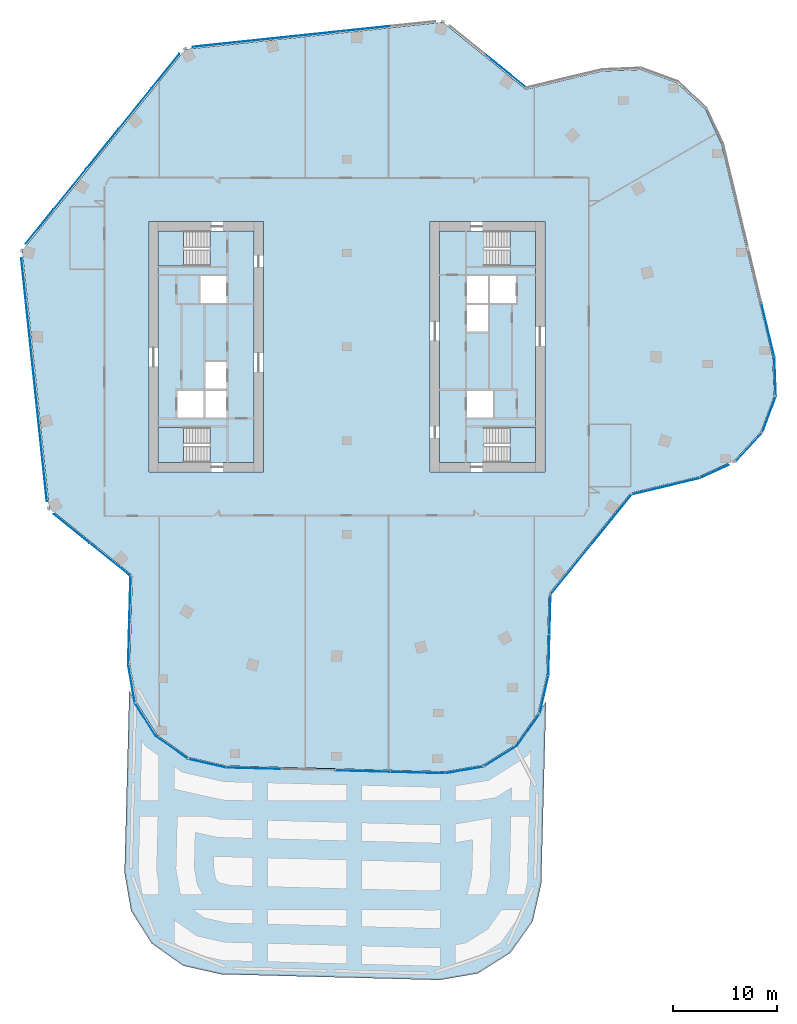
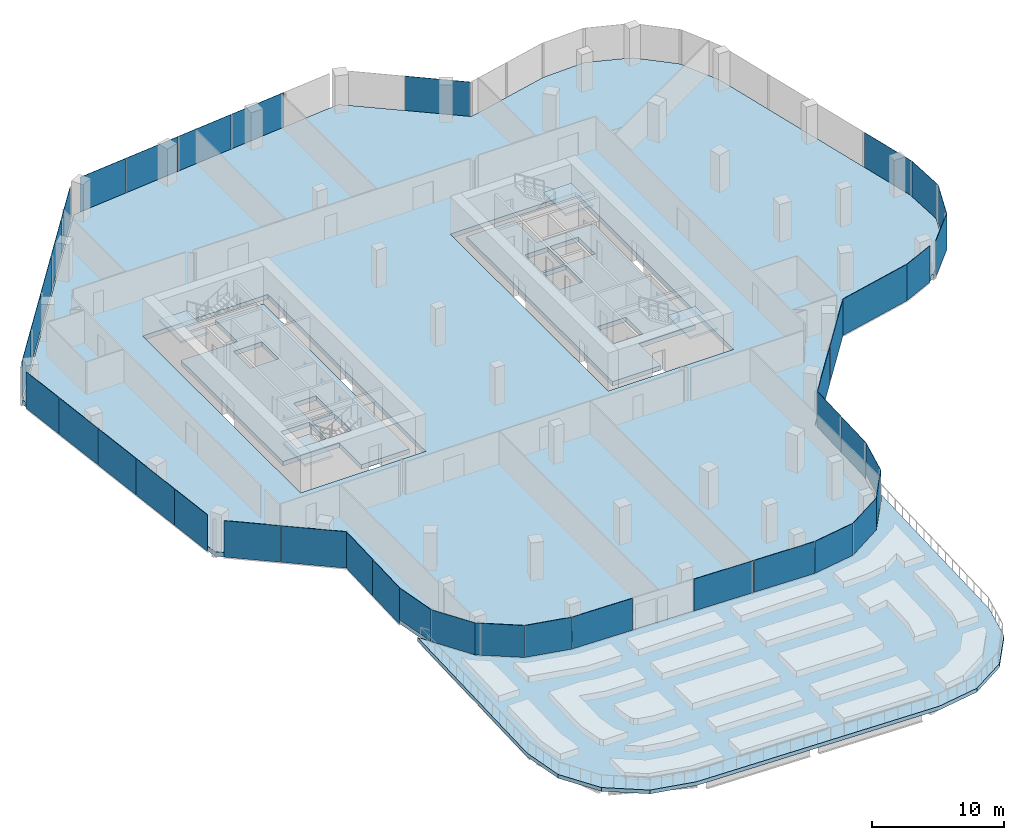
# One storey, part 16 of 25: 40 plates, 8 slabs, 27 elements without a shape of their own.
"""IFC4 building model written with IfcOpenShell, lengths in metres."""

from ifc_helpers import new_model, si_unit, direction, frame, origin, origin_2d, place, context, subcontext, project, spatial, polyline, rectangle, outline, extrude, material, layer, layer_set, type_object, element, aggregate, save


model = new_model("IFC4")

# Units and contexts
model_context = context("Model", 3, precision=1e-05, world=origin(), true_north=direction((0.0, 1.0)))
body_context = subcontext(model_context, "Body", "Model", "MODEL_VIEW")
ifc_project = project(units=[si_unit("LENGTHUNIT", "METRE"), si_unit("AREAUNIT", "SQUARE_METRE"), si_unit("VOLUMEUNIT", "CUBIC_METRE"), si_unit("PLANEANGLEUNIT", "RADIAN"), si_unit("MASSUNIT", "GRAM", prefix="KILO")], contexts=[model_context])

# Site, building, storey
site_placement = place(None, origin())
site = spatial("IfcSite", under=ifc_project, at=site_placement, CompositionType="ELEMENT")
building_placement = place(site_placement, origin())
building = spatial("IfcBuilding", under=site, at=building_placement, Name="Orlundy Tower", CompositionType="ELEMENT")
storey_placement = place(building_placement, frame((0.0, 0.0, 217.5)))
storey = spatial("IfcBuildingStorey", under=building, at=storey_placement, Name="L57", CompositionType="ELEMENT", Elevation=217.5)

# Curtain wall, plates
ifc_material_1 = material(Name="Aluminium bronze anodised", Category="aluminium")
curtain_wall_type = type_object("IfcCurtainWallType", Name="CW1 wall", PredefinedType="NOTDEFINED", material=ifc_material_1)
curtain_wall_1_placement = place(storey_placement, origin())
curtain_wall_1 = element("IfcCurtainWall", 1, at=curtain_wall_1_placement, inside=storey, type_object=curtain_wall_type, Name="CW1 run 00", PredefinedType="NOTDEFINED")
ifc_material_2 = material(Name="Tinted glass", Category="glass")
ifc_layer_1 = layer(ifc_material_2, 0.031982421875)
ifc_layer_set_1 = layer_set([ifc_layer_1], Name="CW1 glass panel 32")
plate_type = type_object("IfcPlateType", Name="CW1 glass panel 32", PredefinedType="CURTAIN_PANEL", material=ifc_layer_set_1)
plate_1_placement = place(storey_placement, frame((-20.9130859375, -28.337158203125, -0.300048828125), z_axis=(0.0, 0.0, 1.0), x_axis=(0.026251208042, 0.999655377656, 0.0)))
plate_1 = element("IfcPlate", 2, at=plate_1_placement, type_object=plate_type, Name="CW1 panel", PredefinedType="CURTAIN_PANEL", context=body_context, shape_type="SweptSolid", body=[
    extrude(rectangle(XDim=4.232421875, YDim=0.031982421875, at=origin_2d()), origin(), (0.0, 0.0, 1.0), 3.3798828125),
])
plate_2_placement = place(storey_placement, frame((-20.8017578125, -24.092041015625, -0.300048828125), z_axis=(0.0, 0.0, 1.0), x_axis=(0.026251208042, 0.999655377656, 0.0)))
plate_2 = element("IfcPlate", 3, at=plate_2_placement, type_object=plate_type, Name="CW1 panel", PredefinedType="CURTAIN_PANEL", context=body_context, shape_type="SweptSolid", body=[
    extrude(rectangle(XDim=4.16064453125, YDim=0.031982421875, at=origin_2d()), origin(), (0.0, 0.0, 1.0), 3.3798828125),
])
aggregate(curtain_wall_1, [plate_1, plate_2])

curtain_wall_2_placement = place(storey_placement, origin())
curtain_wall_2 = element("IfcCurtainWall", 4, at=curtain_wall_2_placement, inside=storey, type_object=curtain_wall_type, Name="CW1 run 01", PredefinedType="NOTDEFINED")
plate_3_placement = place(storey_placement, frame((-22.69482421875, -20.435302734375, -0.300048828125), z_axis=(0.0, 0.0, 1.0), x_axis=(-0.77717662091, 0.629282527892, 0.0)))
plate_3 = element("IfcPlate", 5, at=plate_3_placement, type_object=plate_type, Name="CW1 panel", PredefinedType="CURTAIN_PANEL", context=body_context, shape_type="SweptSolid", body=[
    extrude(rectangle(XDim=5.0126953125, YDim=0.031982421875, at=origin_2d()), origin(), (0.0, 0.0, 1.0), 3.3798828125),
])
plate_4_placement = place(storey_placement, frame((-26.38232421875, -17.44970703125, -0.300048828125), z_axis=(0.0, 0.0, 1.0), x_axis=(-0.77717662091, 0.629282527892, 0.0)))
plate_4 = element("IfcPlate", 6, at=plate_4_placement, type_object=plate_type, Name="CW1 panel", PredefinedType="CURTAIN_PANEL", context=body_context, shape_type="SweptSolid", body=[
    extrude(rectangle(XDim=4.376708984375, YDim=0.031982421875, at=origin_2d()), origin(), (0.0, 0.0, 1.0), 3.3798828125),
])
aggregate(curtain_wall_2, [plate_3, plate_4])

curtain_wall_3_placement = place(storey_placement, origin())
curtain_wall_3 = element("IfcCurtainWall", 7, at=curtain_wall_3_placement, inside=storey, type_object=curtain_wall_type, Name="CW1 run 02", PredefinedType="NOTDEFINED")
plate_5_placement = place(storey_placement, frame((-28.99609375, -12.695556640625, -0.300048828125), z_axis=(0.0, 0.0, 1.0), x_axis=(-0.104538162943, 0.994520875843, 0.0)))
plate_5 = element("IfcPlate", 8, at=plate_5_placement, type_object=plate_type, Name="CW1 panel", PredefinedType="CURTAIN_PANEL", context=body_context, shape_type="SweptSolid", body=[
    extrude(rectangle(XDim=4.228759765625, YDim=0.031982421875, at=origin_2d()), origin(), (0.0, 0.0, 1.0), 3.3798828125),
])
plate_6_placement = place(storey_placement, frame((-29.4794921875, -8.096435546875, -0.300048828125), z_axis=(0.0, 0.0, 1.0), x_axis=(-0.104538162943, 0.994520875843, 0.0)))
plate_6 = element("IfcPlate", 9, at=plate_6_placement, type_object=plate_type, Name="CW1 panel", PredefinedType="CURTAIN_PANEL", context=body_context, shape_type="SweptSolid", body=[
    extrude(rectangle(XDim=4.92041015625, YDim=0.031982421875, at=origin_2d()), origin(), (0.0, 0.0, 1.0), 3.3798828125),
])
plate_7_placement = place(storey_placement, frame((-29.9990234375, -3.153076171875, -0.300048828125), z_axis=(0.0, 0.0, 1.0), x_axis=(-0.104538162943, 0.994520875843, 0.0)))
plate_7 = element("IfcPlate", 10, at=plate_7_placement, type_object=plate_type, Name="CW1 panel", PredefinedType="CURTAIN_PANEL", context=body_context, shape_type="SweptSolid", body=[
    extrude(rectangle(XDim=4.92041015625, YDim=0.031982421875, at=origin_2d()), origin(), (0.0, 0.0, 1.0), 3.3798828125),
])
plate_8_placement = place(storey_placement, frame((-30.518798828125, 1.7900390625, -0.300048828125), z_axis=(0.0, 0.0, 1.0), x_axis=(-0.104538162943, 0.994520875843, 0.0)))
plate_8 = element("IfcPlate", 11, at=plate_8_placement, type_object=plate_type, Name="CW1 panel", PredefinedType="CURTAIN_PANEL", context=body_context, shape_type="SweptSolid", body=[
    extrude(rectangle(XDim=4.92041015625, YDim=0.031982421875, at=origin_2d()), origin(), (0.0, 0.0, 1.0), 3.3798828125),
])
plate_9_placement = place(storey_placement, frame((-31.002197265625, 6.3896484375, -0.300048828125), z_axis=(0.0, 0.0, 1.0), x_axis=(-0.104538162943, 0.994520875843, 0.0)))
plate_9 = element("IfcPlate", 12, at=plate_9_placement, type_object=plate_type, Name="CW1 panel", PredefinedType="CURTAIN_PANEL", context=body_context, shape_type="SweptSolid", body=[
    extrude(rectangle(XDim=4.229248046875, YDim=0.031982421875, at=origin_2d()), origin(), (0.0, 0.0, 1.0), 3.3798828125),
])
aggregate(curtain_wall_3, [plate_5, plate_6, plate_7, plate_8, plate_9])

curtain_wall_4_placement = place(storey_placement, origin())
curtain_wall_4 = element("IfcCurtainWall", 13, at=curtain_wall_4_placement, inside=storey, type_object=curtain_wall_type, Name="CW1 run 03", PredefinedType="NOTDEFINED")
plate_10_placement = place(storey_placement, frame((-29.48046875, 11.525634765625, -0.300048828125), z_axis=(0.0, 0.0, 1.0), x_axis=(0.629320911043, 0.777145540374, 0.0)))
plate_10 = element("IfcPlate", 14, at=plate_10_placement, type_object=plate_type, Name="CW1 panel", PredefinedType="CURTAIN_PANEL", context=body_context, shape_type="SweptSolid", body=[
    extrude(rectangle(XDim=4.228271484375, YDim=0.031982421875, at=origin_2d()), origin(), (0.0, 0.0, 1.0), 3.3798828125),
])
plate_11_placement = place(storey_placement, frame((-26.570068359375, 15.11962890625, -0.300048828125), z_axis=(0.0, 0.0, 1.0), x_axis=(0.629320911043, 0.777145540374, 0.0)))
plate_11 = element("IfcPlate", 15, at=plate_11_placement, type_object=plate_type, Name="CW1 panel", PredefinedType="CURTAIN_PANEL", context=body_context, shape_type="SweptSolid", body=[
    extrude(rectangle(XDim=4.920654296875, YDim=0.031982421875, at=origin_2d()), origin(), (0.0, 0.0, 1.0), 3.3798828125),
])
plate_12_placement = place(storey_placement, frame((-23.44189453125, 18.982666015625, -0.300048828125), z_axis=(0.0, 0.0, 1.0), x_axis=(0.629320911043, 0.777145540374, 0.0)))
plate_12 = element("IfcPlate", 16, at=plate_12_placement, type_object=plate_type, Name="CW1 panel", PredefinedType="CURTAIN_PANEL", context=body_context, shape_type="SweptSolid", body=[
    extrude(rectangle(XDim=4.920654296875, YDim=0.031982421875, at=origin_2d()), origin(), (0.0, 0.0, 1.0), 3.3798828125),
])
plate_13_placement = place(storey_placement, frame((-20.313720703125, 22.845703125, -0.300048828125), z_axis=(0.0, 0.0, 1.0), x_axis=(0.629320911043, 0.777145540374, 0.0)))
plate_13 = element("IfcPlate", 17, at=plate_13_placement, type_object=plate_type, Name="CW1 panel", PredefinedType="CURTAIN_PANEL", context=body_context, shape_type="SweptSolid", body=[
    extrude(rectangle(XDim=4.920654296875, YDim=0.031982421875, at=origin_2d()), origin(), (0.0, 0.0, 1.0), 3.3798828125),
])
plate_14_placement = place(storey_placement, frame((-17.4033203125, 26.43994140625, -0.300048828125), z_axis=(0.0, 0.0, 1.0), x_axis=(0.629320911043, 0.777145540374, 0.0)))
plate_14 = element("IfcPlate", 18, at=plate_14_placement, type_object=plate_type, Name="CW1 panel", PredefinedType="CURTAIN_PANEL", context=body_context, shape_type="SweptSolid", body=[
    extrude(rectangle(XDim=4.22900390625, YDim=0.031982421875, at=origin_2d()), origin(), (0.0, 0.0, 1.0), 3.3798828125),
])
aggregate(curtain_wall_4, [plate_10, plate_11, plate_12, plate_13, plate_14])

curtain_wall_5_placement = place(storey_placement, origin())
curtain_wall_5 = element("IfcCurtainWall", 19, at=curtain_wall_5_placement, inside=storey, type_object=curtain_wall_type, Name="CW1 run 04", PredefinedType="NOTDEFINED")
plate_15_placement = place(storey_placement, frame((-12.695556640625, 28.99609375, -0.300048828125), z_axis=(0.0, 0.0, 1.0), x_axis=(0.994520875843, 0.104538162943, 0.0)))
plate_15 = element("IfcPlate", 20, at=plate_15_placement, type_object=plate_type, Name="CW1 panel", PredefinedType="CURTAIN_PANEL", context=body_context, shape_type="SweptSolid", body=[
    extrude(rectangle(XDim=4.228759765625, YDim=0.031982421875, at=origin_2d()), origin(), (0.0, 0.0, 1.0), 3.3798828125),
])
plate_16_placement = place(storey_placement, frame((-8.096435546875, 29.4794921875, -0.300048828125), z_axis=(0.0, 0.0, 1.0), x_axis=(0.994520875843, 0.104538162943, 0.0)))
plate_16 = element("IfcPlate", 21, at=plate_16_placement, type_object=plate_type, Name="CW1 panel", PredefinedType="CURTAIN_PANEL", context=body_context, shape_type="SweptSolid", body=[
    extrude(rectangle(XDim=4.92041015625, YDim=0.031982421875, at=origin_2d()), origin(), (0.0, 0.0, 1.0), 3.3798828125),
])
plate_17_placement = place(storey_placement, frame((-3.153076171875, 29.9990234375, -0.300048828125), z_axis=(0.0, 0.0, 1.0), x_axis=(0.994520875843, 0.104538162943, 0.0)))
plate_17 = element("IfcPlate", 22, at=plate_17_placement, type_object=plate_type, Name="CW1 panel", PredefinedType="CURTAIN_PANEL", context=body_context, shape_type="SweptSolid", body=[
    extrude(rectangle(XDim=4.92041015625, YDim=0.031982421875, at=origin_2d()), origin(), (0.0, 0.0, 1.0), 3.3798828125),
])
plate_18_placement = place(storey_placement, frame((1.7900390625, 30.518798828125, -0.300048828125), z_axis=(0.0, 0.0, 1.0), x_axis=(0.994520875843, 0.104538162943, 0.0)))
plate_18 = element("IfcPlate", 23, at=plate_18_placement, type_object=plate_type, Name="CW1 panel", PredefinedType="CURTAIN_PANEL", context=body_context, shape_type="SweptSolid", body=[
    extrude(rectangle(XDim=4.92041015625, YDim=0.031982421875, at=origin_2d()), origin(), (0.0, 0.0, 1.0), 3.3798828125),
])
aggregate(curtain_wall_5, [plate_15, plate_16, plate_17, plate_18])

# Curtain wall, plate
curtain_wall_6_placement = place(storey_placement, origin())
curtain_wall_6 = element("IfcCurtainWall", 24, at=curtain_wall_6_placement, inside=storey, type_object=curtain_wall_type, Name="CW1 run 05", PredefinedType="NOTDEFINED")
plate_19_placement = place(storey_placement, frame((15.2705078125, 26.44775390625, -0.300048828125), z_axis=(0.0, 0.0, 1.0), x_axis=(0.777128847743, -0.629341524139, 0.0)))
plate_19 = element("IfcPlate", 25, at=plate_19_placement, type_object=plate_type, Name="CW1 panel", PredefinedType="CURTAIN_PANEL", context=body_context, shape_type="SweptSolid", body=[
    extrude(rectangle(XDim=5.012939453125, YDim=0.031982421875, at=origin_2d()), origin(), (0.0, 0.0, 1.0), 3.3798828125),
])
aggregate(curtain_wall_6, [plate_19])

curtain_wall_7_placement = place(storey_placement, origin())
curtain_wall_7 = element("IfcCurtainWall", 26, at=curtain_wall_7_placement, inside=storey, type_object=curtain_wall_type, Name="CW1 run 011", PredefinedType="NOTDEFINED")
plate_20_placement = place(storey_placement, frame((40.408447265625, 1.593994140625, -0.300048828125), z_axis=(0.0, 0.0, 1.0), x_axis=(0.233472005748, -0.972363523859, 0.0)))
plate_20 = element("IfcPlate", 27, at=plate_20_placement, type_object=plate_type, Name="CW1 panel", PredefinedType="CURTAIN_PANEL", context=body_context, shape_type="SweptSolid", body=[
    extrude(rectangle(XDim=5.216064453125, YDim=0.031982421875, at=origin_2d()), origin(), (0.0, 0.0, 1.0), 3.3798828125),
])
aggregate(curtain_wall_7, [plate_20])

curtain_wall_8_placement = place(storey_placement, origin())
curtain_wall_8 = element("IfcCurtainWall", 28, at=curtain_wall_8_placement, inside=storey, type_object=curtain_wall_type, Name="CW1 run 012", PredefinedType="NOTDEFINED")
plate_21_placement = place(storey_placement, frame((41.09716796875, -2.85546875, -0.300048828125), z_axis=(0.0, 0.0, 1.0), x_axis=(0.039116906831, -0.999234640913, 0.0)))
plate_21 = element("IfcPlate", 29, at=plate_21_placement, type_object=plate_type, Name="CW1 panel", PredefinedType="CURTAIN_PANEL", context=body_context, shape_type="SweptSolid", body=[
    extrude(rectangle(XDim=3.73046875, YDim=0.031982421875, at=origin_2d()), origin(), (0.0, 0.0, 1.0), 3.3798828125),
])
aggregate(curtain_wall_8, [plate_21])

curtain_wall_9_placement = place(storey_placement, origin())
curtain_wall_9 = element("IfcCurtainWall", 30, at=curtain_wall_9_placement, inside=storey, type_object=curtain_wall_type, Name="CW1 run 013", PredefinedType="NOTDEFINED")
plate_22_placement = place(storey_placement, frame((40.517333984375, -6.48828125, -0.300048828125), z_axis=(0.0, 0.0, 1.0), x_axis=(-0.346180462863, -0.938167941859, 0.0)))
plate_22 = element("IfcPlate", 31, at=plate_22_placement, type_object=plate_type, Name="CW1 panel", PredefinedType="CURTAIN_PANEL", context=body_context, shape_type="SweptSolid", body=[
    extrude(rectangle(XDim=3.771484375, YDim=0.031982421875, at=origin_2d()), origin(), (0.0, 0.0, 1.0), 3.3798828125),
])
aggregate(curtain_wall_9, [plate_22])

curtain_wall_10_placement = place(storey_placement, origin())
curtain_wall_10 = element("IfcCurtainWall", 32, at=curtain_wall_10_placement, inside=storey, type_object=curtain_wall_type, Name="CW1 run 014", PredefinedType="NOTDEFINED")
plate_23_placement = place(storey_placement, frame((38.58447265625, -9.642333984375, -0.300048828125), z_axis=(0.0, 0.0, 1.0), x_axis=(-0.678772971258, -0.734348182738, 0.0)))
plate_23 = element("IfcPlate", 33, at=plate_23_placement, type_object=plate_type, Name="CW1 panel", PredefinedType="CURTAIN_PANEL", context=body_context, shape_type="SweptSolid", body=[
    extrude(rectangle(XDim=3.77197265625, YDim=0.031982421875, at=origin_2d()), origin(), (0.0, 0.0, 1.0), 3.3798828125),
])
aggregate(curtain_wall_10, [plate_23])

curtain_wall_11_placement = place(storey_placement, origin())
curtain_wall_11 = element("IfcCurtainWall", 34, at=curtain_wall_11_placement, inside=storey, type_object=curtain_wall_type, Name="CW1 run 015", PredefinedType="NOTDEFINED")
plate_24_placement = place(storey_placement, frame((35.26708984375, -11.966552734375, -0.300048828125), z_axis=(0.0, 0.0, 1.0), x_axis=(-0.908117246595, -0.418715973467, 0.0)))
plate_24 = element("IfcPlate", 35, at=plate_24_placement, type_object=plate_type, Name="CW1 panel", PredefinedType="CURTAIN_PANEL", context=body_context, shape_type="SweptSolid", body=[
    extrude(rectangle(XDim=2.973876953125, YDim=0.031982421875, at=origin_2d()), origin(), (0.0, 0.0, 1.0), 3.3798828125),
])
aggregate(curtain_wall_11, [plate_24])

curtain_wall_12_placement = place(storey_placement, origin())
curtain_wall_12 = element("IfcCurtainWall", 36, at=curtain_wall_12_placement, inside=storey, type_object=curtain_wall_type, Name="CW1 run 016", PredefinedType="NOTDEFINED")
plate_25_placement = place(storey_placement, frame((30.6025390625, -13.39013671875, -0.300048828125), z_axis=(0.0, 0.0, 1.0), x_axis=(-0.972363214149, -0.233473295624, 0.0)))
plate_25 = element("IfcPlate", 37, at=plate_25_placement, type_object=plate_type, Name="CW1 panel", PredefinedType="CURTAIN_PANEL", context=body_context, shape_type="SweptSolid", body=[
    extrude(rectangle(XDim=6.719970703125, YDim=0.031982421875, at=origin_2d()), origin(), (0.0, 0.0, 1.0), 3.3798828125),
])
aggregate(curtain_wall_12, [plate_25])

# Curtain wall, plates
curtain_wall_13_placement = place(storey_placement, origin())
curtain_wall_13 = element("IfcCurtainWall", 38, at=curtain_wall_13_placement, inside=storey, type_object=curtain_wall_type, Name="CW1 run 017", PredefinedType="NOTDEFINED")
plate_26_placement = place(storey_placement, frame((25.396240234375, -16.56884765625, -0.300048828125), z_axis=(0.0, 0.0, 1.0), x_axis=(-0.629352582823, -0.777119891969, 0.0)))
plate_26 = element("IfcPlate", 39, at=plate_26_placement, type_object=plate_type, Name="CW1 panel", PredefinedType="CURTAIN_PANEL", context=body_context, shape_type="SweptSolid", body=[
    extrude(rectangle(XDim=6.162353515625, YDim=0.031982421875, at=origin_2d()), origin(), (0.0, 0.0, 1.0), 3.3798828125),
])
plate_27_placement = place(storey_placement, frame((21.486572265625, -21.396484375, -0.300048828125), z_axis=(0.0, 0.0, 1.0), x_axis=(-0.629352582823, -0.777119891969, 0.0)))
plate_27 = element("IfcPlate", 40, at=plate_27_placement, type_object=plate_type, Name="CW1 panel", PredefinedType="CURTAIN_PANEL", context=body_context, shape_type="SweptSolid", body=[
    extrude(rectangle(XDim=6.162353515625, YDim=0.031982421875, at=origin_2d()), origin(), (0.0, 0.0, 1.0), 3.3798828125),
])
aggregate(curtain_wall_13, [plate_26, plate_27])

curtain_wall_14_placement = place(storey_placement, origin())
curtain_wall_14 = element("IfcCurtainWall", 41, at=curtain_wall_14_placement, inside=storey, type_object=curtain_wall_type, Name="CW1 run 018", PredefinedType="NOTDEFINED")
plate_28_placement = place(storey_placement, frame((19.497802734375, -25.696044921875, -0.300048828125), z_axis=(0.0, 0.0, 1.0), x_axis=(-0.026076968311, -0.999659938041, 0.0)))
plate_28 = element("IfcPlate", 42, at=plate_28_placement, type_object=plate_type, Name="CW1 panel", PredefinedType="CURTAIN_PANEL", context=body_context, shape_type="SweptSolid", body=[
    extrude(rectangle(XDim=3.8115234375, YDim=0.031982421875, at=origin_2d()), origin(), (0.0, 0.0, 1.0), 3.3798828125),
])
plate_29_placement = place(storey_placement, frame((19.396484375, -29.579833984375, -0.300048828125), z_axis=(0.0, 0.0, 1.0), x_axis=(-0.026076968311, -0.999659938041, 0.0)))
plate_29 = element("IfcPlate", 43, at=plate_29_placement, type_object=plate_type, Name="CW1 panel", PredefinedType="CURTAIN_PANEL", context=body_context, shape_type="SweptSolid", body=[
    extrude(rectangle(XDim=3.8583984375, YDim=0.031982421875, at=origin_2d()), origin(), (0.0, 0.0, 1.0), 3.3798828125),
])
aggregate(curtain_wall_14, [plate_28, plate_29])

# Curtain wall, plate
curtain_wall_15_placement = place(storey_placement, origin())
curtain_wall_15 = element("IfcCurtainWall", 44, at=curtain_wall_15_placement, inside=storey, type_object=curtain_wall_type, Name="CW1 run 019", PredefinedType="NOTDEFINED")
plate_30_placement = place(storey_placement, frame((18.928466796875, -33.376953125, 0.1201171875), z_axis=(0.0, 0.0, 1.0), x_axis=(-0.220699748267, -0.975341797072, 0.0)))
plate_30 = element("IfcPlate", 45, at=plate_30_placement, type_object=plate_type, Name="CW1 panel", PredefinedType="CURTAIN_PANEL", context=body_context, shape_type="SweptSolid", body=[
    extrude(rectangle(XDim=3.72998046875, YDim=0.031982421875, at=origin_2d()), origin(), (0.0, 0.0, 1.0), 2.9599609375),
])
aggregate(curtain_wall_15, [plate_30])

curtain_wall_16_placement = place(storey_placement, origin())
curtain_wall_16 = element("IfcCurtainWall", 46, at=curtain_wall_16_placement, inside=storey, type_object=curtain_wall_type, Name="CW1 run 020", PredefinedType="NOTDEFINED")
plate_31_placement = place(storey_placement, frame((17.427978515625, -36.736083984375, 0.1201171875), z_axis=(0.0, 0.0, 1.0), x_axis=(-0.577276133281, -0.816548997883, 0.0)))
plate_31 = element("IfcPlate", 47, at=plate_31_placement, type_object=plate_type, Name="CW1 panel", PredefinedType="CURTAIN_PANEL", context=body_context, shape_type="SweptSolid", body=[
    extrude(rectangle(XDim=3.772216796875, YDim=0.031982421875, at=origin_2d()), origin(), (0.0, 0.0, 1.0), 2.9599609375),
])
aggregate(curtain_wall_16, [plate_31])

curtain_wall_17_placement = place(storey_placement, origin())
curtain_wall_17 = element("IfcCurtainWall", 48, at=curtain_wall_17_placement, inside=storey, type_object=curtain_wall_type, Name="CW1 run 021", PredefinedType="NOTDEFINED")
plate_32_placement = place(storey_placement, frame((14.743896484375, -39.28271484375, 0.1201171875), z_axis=(0.0, 0.0, 1.0), x_axis=(-0.845732410351, -0.533607243282, 0.0)))
plate_32 = element("IfcPlate", 49, at=plate_32_placement, type_object=plate_type, Name="CW1 panel", PredefinedType="CURTAIN_PANEL", context=body_context, shape_type="SweptSolid", body=[
    extrude(rectangle(XDim=3.77197265625, YDim=0.031982421875, at=origin_2d()), origin(), (0.0, 0.0, 1.0), 2.9599609375),
])
aggregate(curtain_wall_17, [plate_32])

curtain_wall_18_placement = place(storey_placement, origin())
curtain_wall_18 = element("IfcCurtainWall", 50, at=curtain_wall_18_placement, inside=storey, type_object=curtain_wall_type, Name="CW1 run 022", PredefinedType="NOTDEFINED")
plate_33_placement = place(storey_placement, frame((11.310791015625, -40.605224609375, 0.1201171875), z_axis=(0.0, 0.0, 1.0), x_axis=(-0.985542556373, -0.169428066085, 0.0)))
plate_33 = element("IfcPlate", 51, at=plate_33_placement, type_object=plate_type, Name="CW1 panel", PredefinedType="CURTAIN_PANEL", context=body_context, shape_type="SweptSolid", body=[
    extrude(rectangle(XDim=3.730224609375, YDim=0.031982421875, at=origin_2d()), origin(), (0.0, 0.0, 1.0), 2.9599609375),
])
aggregate(curtain_wall_18, [plate_33])

# Curtain wall, plates
curtain_wall_19_placement = place(storey_placement, origin())
curtain_wall_19 = element("IfcCurtainWall", 52, at=curtain_wall_19_placement, inside=storey, type_object=curtain_wall_type, Name="CW1 run 023", PredefinedType="NOTDEFINED")
plate_34_placement = place(storey_placement, frame((6.815673828125, -40.8564453125, 0.1201171875), z_axis=(0.0, 0.0, 1.0), x_axis=(-0.999656977295, 0.026190222342, 0.0)))
plate_34 = element("IfcPlate", 53, at=plate_34_placement, type_object=plate_type, Name="CW1 panel", PredefinedType="CURTAIN_PANEL", context=body_context, shape_type="SweptSolid", body=[
    extrude(rectangle(XDim=5.216064453125, YDim=0.031982421875, at=origin_2d()), origin(), (0.0, 0.0, 1.0), 2.9599609375),
])
plate_35_placement = place(storey_placement, frame((1.559326171875, -40.71875, 0.1201171875), z_axis=(0.0, 0.0, 1.0), x_axis=(-0.999656977295, 0.026190222342, 0.0)))
plate_35 = element("IfcPlate", 54, at=plate_35_placement, type_object=plate_type, Name="CW1 panel", PredefinedType="CURTAIN_PANEL", context=body_context, shape_type="SweptSolid", body=[
    extrude(rectangle(XDim=5.199951171875, YDim=0.031982421875, at=origin_2d()), origin(), (0.0, 0.0, 1.0), 2.9599609375),
])
plate_36_placement = place(storey_placement, frame((-8.945068359375, -40.443603515625, 0.1201171875), z_axis=(0.0, 0.0, 1.0), x_axis=(-0.999656977295, 0.026190222342, 0.0)))
plate_36 = element("IfcPlate", 55, at=plate_36_placement, type_object=plate_type, Name="CW1 panel", PredefinedType="CURTAIN_PANEL", context=body_context, shape_type="SweptSolid", body=[
    extrude(rectangle(XDim=5.216064453125, YDim=0.031982421875, at=origin_2d()), origin(), (0.0, 0.0, 1.0), 2.9599609375),
])
aggregate(curtain_wall_19, [plate_34, plate_35, plate_36])

# Curtain wall, plate
curtain_wall_20_placement = place(storey_placement, origin())
curtain_wall_20 = element("IfcCurtainWall", 56, at=curtain_wall_20_placement, inside=storey, type_object=curtain_wall_type, Name="CW1 run 024", PredefinedType="NOTDEFINED")
plate_37_placement = place(storey_placement, frame((-13.4208984375, -39.957275390625, 0.1201171875), z_axis=(0.0, 0.0, 1.0), x_axis=(-0.975341797072, 0.220699748267, 0.0)))
plate_37 = element("IfcPlate", 57, at=plate_37_placement, type_object=plate_type, Name="CW1 panel", PredefinedType="CURTAIN_PANEL", context=body_context, shape_type="SweptSolid", body=[
    extrude(rectangle(XDim=3.72998046875, YDim=0.031982421875, at=origin_2d()), origin(), (0.0, 0.0, 1.0), 2.9599609375),
])
aggregate(curtain_wall_20, [plate_37])

curtain_wall_21_placement = place(storey_placement, origin())
curtain_wall_21 = element("IfcCurtainWall", 58, at=curtain_wall_21_placement, inside=storey, type_object=curtain_wall_type, Name="CW1 run 025", PredefinedType="NOTDEFINED")
plate_38_placement = place(storey_placement, frame((-16.780029296875, -38.45751953125, 0.1201171875), z_axis=(0.0, 0.0, 1.0), x_axis=(-0.816676153518, 0.577096231381, 0.0)))
plate_38 = element("IfcPlate", 59, at=plate_38_placement, type_object=plate_type, Name="CW1 panel", PredefinedType="CURTAIN_PANEL", context=body_context, shape_type="SweptSolid", body=[
    extrude(rectangle(XDim=3.771728515625, YDim=0.031982421875, at=origin_2d()), origin(), (0.0, 0.0, 1.0), 2.9599609375),
])
aggregate(curtain_wall_21, [plate_38])

curtain_wall_22_placement = place(storey_placement, origin())
curtain_wall_22 = element("IfcCurtainWall", 60, at=curtain_wall_22_placement, inside=storey, type_object=curtain_wall_type, Name="CW1 run 026", PredefinedType="NOTDEFINED")
plate_39_placement = place(storey_placement, frame((-19.32666015625, -35.77392578125, 0.1201171875), z_axis=(0.0, 0.0, 1.0), x_axis=(-0.533607243282, 0.845732410351, 0.0)))
plate_39 = element("IfcPlate", 61, at=plate_39_placement, type_object=plate_type, Name="CW1 panel", PredefinedType="CURTAIN_PANEL", context=body_context, shape_type="SweptSolid", body=[
    extrude(rectangle(XDim=3.77197265625, YDim=0.031982421875, at=origin_2d()), origin(), (0.0, 0.0, 1.0), 2.9599609375),
])
aggregate(curtain_wall_22, [plate_39])

curtain_wall_23_placement = place(storey_placement, origin())
curtain_wall_23 = element("IfcCurtainWall", 62, at=curtain_wall_23_placement, inside=storey, type_object=curtain_wall_type, Name="CW1 run 027", PredefinedType="NOTDEFINED")
plate_40_placement = place(storey_placement, frame((-20.649169921875, -32.3408203125, 0.1201171875), z_axis=(0.0, 0.0, 1.0), x_axis=(-0.169428066085, 0.985542556373, 0.0)))
plate_40 = element("IfcPlate", 63, at=plate_40_placement, type_object=plate_type, Name="CW1 panel", PredefinedType="CURTAIN_PANEL", context=body_context, shape_type="SweptSolid", body=[
    extrude(rectangle(XDim=3.730224609375, YDim=0.031982421875, at=origin_2d()), origin(), (0.0, 0.0, 1.0), 2.9599609375),
])
aggregate(curtain_wall_23, [plate_40])

# Slabs
ifc_material_3 = material(Name="Concrete C50/60", Category="concrete")
ifc_layer_2 = layer(ifc_material_3, 0.419921875)
ifc_layer_set_2 = layer_set([ifc_layer_2], Name="Core Floor Slab 420")
slab_type_1 = type_object("IfcSlabType", Name="Core Floor Slab 420", PredefinedType="FLOOR", material=ifc_layer_set_2)
slab_1_placement = place(storey_placement, frame((0.0, 0.0, -0.419921875)))
element("IfcSlab", 64, at=slab_1_placement, inside=storey, type_object=slab_type_1, Name="Core floor W44", PredefinedType="FLOOR", context=body_context, shape_type="SweptSolid", body=[
    extrude(outline(polyline([(-18.10009765625, 7.75), (-13.14501953125, 7.75), (-13.14501953125, 11.10009765625), (-8.89990234375, 11.10009765625), (-8.89990234375, -11.10009765625), (-13.14501953125, -11.10009765625), (-13.14501953125, -7.75), (-18.10009765625, -7.75), (-18.10009765625, 7.75)]), holes=[polyline([(-13.5400390625, -4.22509765625), (-13.5400390625, -6.77490234375), (-11.5400390625, -6.77490234375), (-11.5400390625, -4.22509765625), (-13.5400390625, -4.22509765625)]), polyline([(-13.739990234375, -4.22509765625), (-16.239990234375, -4.22509765625), (-16.239990234375, -6.77490234375), (-13.739990234375, -6.77490234375), (-13.739990234375, -4.22509765625)]), polyline([(-11.5400390625, -4.02490234375), (-11.5400390625, -1.47509765625), (-13.5400390625, -1.47509765625), (-13.5400390625, -4.02490234375), (-11.5400390625, -4.02490234375)]), polyline([(-14.0400390625, 4.22509765625), (-11.5400390625, 4.22509765625), (-11.5400390625, 6.77490234375), (-14.0400390625, 6.77490234375), (-14.0400390625, 4.22509765625)])]), origin(), (0.0, 0.0, 1.0), 0.419921875),
])
slab_2_placement = place(storey_placement, frame((0.0, 0.0, -0.419921875)))
element("IfcSlab", 65, at=slab_2_placement, inside=storey, type_object=slab_type_1, Name="Core floor E44", PredefinedType="FLOOR", context=body_context, shape_type="SweptSolid", body=[
    extrude(outline(polyline([(18.10009765625, -7.75), (13.14501953125, -7.75), (13.14501953125, -11.10009765625), (8.89990234375, -11.10009765625), (8.89990234375, 11.10009765625), (13.14501953125, 11.10009765625), (13.14501953125, 7.75), (18.10009765625, 7.75), (18.10009765625, -7.75)]), holes=[polyline([(13.5400390625, 4.22509765625), (13.5400390625, 6.77490234375), (11.5400390625, 6.77490234375), (11.5400390625, 4.22509765625), (13.5400390625, 4.22509765625)]), polyline([(13.739990234375, 4.22509765625), (16.239990234375, 4.22509765625), (16.239990234375, 6.77490234375), (13.739990234375, 6.77490234375), (13.739990234375, 4.22509765625)]), polyline([(11.5400390625, 4.02490234375), (11.5400390625, 1.47509765625), (13.5400390625, 1.47509765625), (13.5400390625, 4.02490234375), (11.5400390625, 4.02490234375)]), polyline([(14.0400390625, -4.22509765625), (11.5400390625, -4.22509765625), (11.5400390625, -6.77490234375), (14.0400390625, -6.77490234375), (14.0400390625, -4.22509765625)])]), origin(), (0.0, 0.0, 1.0), 0.419921875),
])

# Stair, slab
ifc_material_4 = material(Name="Concrete C50/60", Category="concrete")
stair_type = type_object("IfcStairType", Name="Exit Stair 20 risers", PredefinedType="HALF_TURN_STAIR", material=ifc_material_4)
stair_1_placement = place(storey_placement, origin())
stair_1 = element("IfcStair", 66, at=stair_1_placement, inside=storey, type_object=stair_type, Name="L57 Exit Stair ST-W1", PredefinedType="HALF_TURN_STAIR")
ifc_material_5 = material(Name="Concrete C50/60", Category="concrete")
ifc_layer_3 = layer(ifc_material_5, 0.199951171875)
ifc_layer_set_3 = layer_set([ifc_layer_3], Name="Exit Stair Landing")
slab_type_2 = type_object("IfcSlabType", Name="Exit Stair Landing", PredefinedType="LANDING", material=ifc_layer_set_3)
slab_3_placement = place(storey_placement, frame((0.0, 0.0, 1.550048828125)))
slab_3 = element("IfcSlab", 67, at=slab_3_placement, type_object=slab_type_2, Name="ST-W1 landing 1", PredefinedType="LANDING", context=body_context, shape_type="SweptSolid", body=[
    extrude(outline(polyline([(-15.659912109375, 11.10009765625), (-18.10009765625, 11.10009765625), (-18.10009765625, 7.75), (-15.659912109375, 7.75), (-15.659912109375, 11.10009765625)])), origin(), (0.0, 0.0, 1.0), 0.199951171875),
])
aggregate(stair_1, [slab_3])

stair_2_placement = place(storey_placement, origin())
stair_2 = element("IfcStair", 68, at=stair_2_placement, inside=storey, type_object=stair_type, Name="L57 Exit Stair ST-W2", PredefinedType="HALF_TURN_STAIR")
slab_4_placement = place(storey_placement, frame((0.0, 0.0, 1.550048828125)))
slab_4 = element("IfcSlab", 69, at=slab_4_placement, type_object=slab_type_2, Name="ST-W2 landing 1", PredefinedType="LANDING", context=body_context, shape_type="SweptSolid", body=[
    extrude(outline(polyline([(-15.659912109375, -7.75), (-18.10009765625, -7.75), (-18.10009765625, -11.10009765625), (-15.659912109375, -11.10009765625), (-15.659912109375, -7.75)])), origin(), (0.0, 0.0, 1.0), 0.199951171875),
])
aggregate(stair_2, [slab_4])

stair_3_placement = place(storey_placement, origin())
stair_3 = element("IfcStair", 70, at=stair_3_placement, inside=storey, type_object=stair_type, Name="L57 Exit Stair ST-E1", PredefinedType="HALF_TURN_STAIR")
slab_5_placement = place(storey_placement, frame((0.0, 0.0, 1.550048828125)))
slab_5 = element("IfcSlab", 71, at=slab_5_placement, type_object=slab_type_2, Name="ST-E1 landing 1", PredefinedType="LANDING", context=body_context, shape_type="SweptSolid", body=[
    extrude(outline(polyline([(15.659912109375, -11.10009765625), (18.10009765625, -11.10009765625), (18.10009765625, -7.75), (15.659912109375, -7.75), (15.659912109375, -11.10009765625)])), origin(), (0.0, 0.0, 1.0), 0.199951171875),
])
aggregate(stair_3, [slab_5])

stair_4_placement = place(storey_placement, origin())
stair_4 = element("IfcStair", 72, at=stair_4_placement, inside=storey, type_object=stair_type, Name="L57 Exit Stair ST-E2", PredefinedType="HALF_TURN_STAIR")
slab_6_placement = place(storey_placement, frame((0.0, 0.0, 1.550048828125)))
slab_6 = element("IfcSlab", 73, at=slab_6_placement, type_object=slab_type_2, Name="ST-E2 landing 1", PredefinedType="LANDING", context=body_context, shape_type="SweptSolid", body=[
    extrude(outline(polyline([(15.659912109375, 7.75), (18.10009765625, 7.75), (18.10009765625, 11.10009765625), (15.659912109375, 11.10009765625), (15.659912109375, 7.75)])), origin(), (0.0, 0.0, 1.0), 0.199951171875),
])
aggregate(stair_4, [slab_6])

# Slabs
ifc_material_6 = material(Name="Concrete C45/55", Category="concrete")
ifc_layer_4 = layer(ifc_material_6, 0.35009765625)
ifc_layer_set_4 = layer_set([ifc_layer_4], Name="TERRACE SLAB 350 C45/55")
slab_type_3 = type_object("IfcSlabType", Name="TERRACE SLAB 350 C45/55", PredefinedType="ROOF", material=ifc_layer_set_4)
slab_7_placement = place(storey_placement, frame((0.0, 0.0, -0.35009765625)))
element("IfcSlab", 74, at=slab_7_placement, inside=storey, type_object=slab_type_3, Name="Terrace slab L57-1", PredefinedType="ROOF", context=body_context, shape_type="SweptSolid", body=[
    extrude(outline(polyline([(-20.87109375, -33.02001953125), (-18.198974609375, -37.25390625), (-15.172119140625, -39.39306640625), (-11.556884765625, -40.2109375), (9.43603515625, -40.760986328125), (13.089111328125, -40.133056640625), (16.22412109375, -38.155029296875), (19.114013671875, -34.069091796875), (18.657958984375, -51.507080078125), (17.840087890625, -55.12109375), (15.700927734375, -58.14794921875), (12.56591796875, -60.1259765625), (8.9130859375, -60.75390625), (-12.0810546875, -60.2041015625), (-15.695068359375, -59.385986328125), (-18.721923828125, -57.2470703125), (-20.699951171875, -54.112060546875), (-21.327880859375, -50.458984375), (-20.87109375, -33.02001953125)])), origin(), (0.0, 0.0, 1.0), 0.35009765625),
])
ifc_material_7 = material(Name="Concrete C45/55", Category="concrete")
ifc_layer_5 = layer(ifc_material_7, 0.419921875)
ifc_layer_set_5 = layer_set([ifc_layer_5], Name="TRANSFER FLOOR SLAB 420 C45/55")
slab_type_4 = type_object("IfcSlabType", Name="TRANSFER FLOOR SLAB 420 C45/55", PredefinedType="FLOOR", material=ifc_layer_set_5)
slab_8_placement = place(storey_placement, frame((0.0, 0.0, -0.419921875)))
element("IfcSlab", 75, at=slab_8_placement, inside=storey, type_object=slab_type_4, Name="Floor slab L57", PredefinedType="FLOOR", context=body_context, shape_type="SweptSolid", body=[
    extrude(outline(polyline([(-20.5810546875, -21.93603515625), (-28.537109375, -15.493896484375), (-31.135009765625, 9.221923828125), (-15.493896484375, 28.537109375), (9.221923828125, 31.135009765625), (17.177978515625, 24.69189453125), (24.501953125, 26.450927734375), (28.2060546875, 26.595947265625), (31.68408203125, 25.31298828125), (34.406005859375, 22.797119140625), (35.95703125, 19.430908203125), (40.860107421875, -0.989013671875), (41.0048828125, -4.693115234375), (39.721923828125, -8.169921875), (37.2060546875, -10.89208984375), (33.840087890625, -12.444091796875), (27.242919921875, -14.028076171875), (19.385009765625, -23.73095703125), (19.181884765625, -31.512939453125), (18.364013671875, -35.1279296875), (16.22412109375, -38.155029296875), (13.089111328125, -40.133056640625), (9.43603515625, -40.760986328125), (-11.556884765625, -40.2109375), (-15.172119140625, -39.39306640625), (-18.198974609375, -37.25390625), (-20.177001953125, -34.118896484375), (-20.804931640625, -30.466064453125), (-20.5810546875, -21.93603515625)]), holes=[polyline([(-8.0, -12.0), (-8.0, 12.0), (-19.0, 12.0), (-19.0, -12.0), (-8.0, -12.0)]), polyline([(19.0, -12.0), (19.0, 12.0), (8.0, 12.0), (8.0, -12.0), (19.0, -12.0)])]), origin(), (0.0, 0.0, 1.0), 0.419921875),
])

save(model, "model.ifc")
